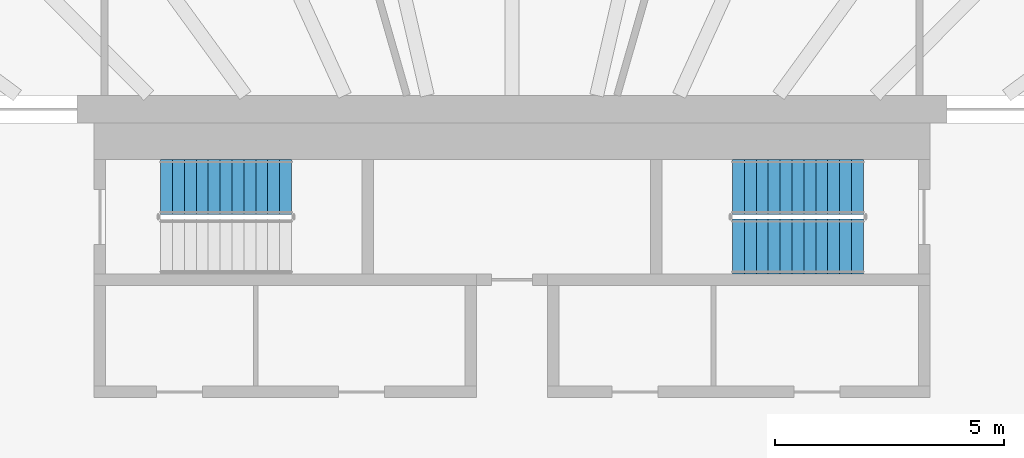
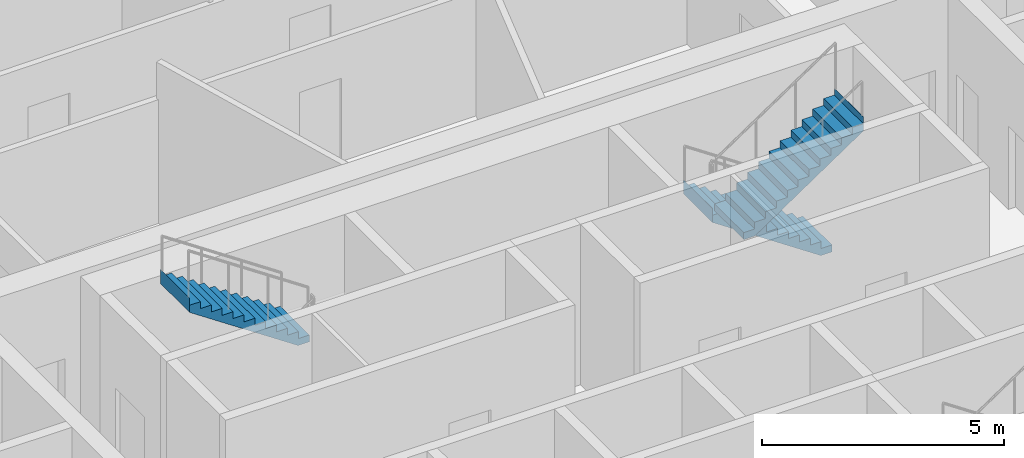
# One storey, part 19 of 25: 3 stair flights, 2 elements without a shape of their own.
"""IFC4 building model written with IfcOpenShell, lengths in metres."""

from ifc_helpers import new_model, si_unit, direction, frame, origin, place, context, subcontext, project, spatial, triangles, material, type_object, element, aggregate, save


model = new_model("IFC4")

# Units and contexts
model_context = context("Model", 3, precision=1e-05, world=origin(), true_north=direction((0.0, 1.0)))
body_context = subcontext(model_context, "Body", "Model", "MODEL_VIEW")
ifc_project = project(units=[si_unit("LENGTHUNIT", "METRE"), si_unit("AREAUNIT", "SQUARE_METRE"), si_unit("VOLUMEUNIT", "CUBIC_METRE"), si_unit("PLANEANGLEUNIT", "RADIAN"), si_unit("MASSUNIT", "GRAM", prefix="KILO")], contexts=[model_context])

# Site, building, storey
site_placement = place(None, origin())
site = spatial("IfcSite", under=ifc_project, at=site_placement, CompositionType="ELEMENT")
building_placement = place(site_placement, origin())
building = spatial("IfcBuilding", under=site, at=building_placement, Name="Sahrelin Media Tower", CompositionType="ELEMENT")
storey_placement = place(building_placement, frame((0.0, 0.0, 79.800048828125)))
storey = spatial("IfcBuildingStorey", under=building, at=storey_placement, Name="L14", CompositionType="ELEMENT", Elevation=79.800048828125)

# Stair, stair flight
ifc_material = material(Name="Concrete C40/50", Category="concrete")
stair_type = type_object("IfcStairType", Name="Exit stair 1200", PredefinedType="HALF_TURN_STAIR", material=ifc_material)
placement = place(storey_placement, origin())
stair_1 = element("IfcStair", 1, at=placement, inside=storey, type_object=stair_type, Name="L14 Exit stair ST1", PredefinedType="HALF_TURN_STAIR")
stair_flight_type = type_object("IfcStairFlightType", Name="Stair flight 1200", PredefinedType="STRAIGHT", material=ifc_material)
stair_flight_1_placement = place(storey_placement, frame((-4.81494140625, 6.0, 2.099853515625), z_axis=(0.0, 0.0, 1.0), x_axis=(-1.0, 0.0, 0.0)))
stair_flight_1 = element("IfcStairFlight", 2, at=stair_flight_1_placement, type_object=stair_flight_type, Name="ST1 flight 2", NumberOfRisers=12, NumberOfTreads=11, PredefinedType="STRAIGHT", RiserHeight=0.175, TreadLength=0.26, context=body_context, shape_type="Tessellation", body=[
    triangles([(0.2685546875, 0.60009765625, 0.0), (0.2685546875, 0.300048828125, 0.0), (0.2685546875, 0.0, 0.0), (0.2685546875, -0.300048828125, 0.0), (0.2685546875, -0.60009765625, 0.0), (2.860107421875, 0.60009765625, 1.744384765625), (2.860107421875, 0.300048828125, 1.744384765625), (2.860107421875, 0.0, 1.744384765625), (2.860107421875, -0.300048828125, 1.744384765625), (2.860107421875, -0.60009765625, 1.744384765625), (2.860107421875, 0.60009765625, 2.10009765625), (2.860107421875, 0.300048828125, 2.10009765625), (2.860107421875, 0.0, 2.10009765625), (2.860107421875, -0.300048828125, 2.10009765625), (2.860107421875, -0.60009765625, 2.10009765625), (2.85791015625, 0.60009765625, 2.10009765625), (2.85791015625, 0.300048828125, 2.10009765625), (2.85791015625, 0.0, 2.10009765625), (2.85791015625, -0.300048828125, 2.10009765625), (2.85791015625, -0.60009765625, 2.10009765625), (2.85791015625, 0.60009765625, 1.925048828125), (2.85791015625, 0.300048828125, 1.925048828125), (2.85791015625, 0.0, 1.925048828125), (2.85791015625, -0.300048828125, 1.925048828125), (2.85791015625, -0.60009765625, 1.925048828125), (2.60009765625, 0.60009765625, 1.925048828125), (2.60009765625, 0.300048828125, 1.925048828125), (2.60009765625, 0.0, 1.925048828125), (2.60009765625, -0.300048828125, 1.925048828125), (2.60009765625, -0.60009765625, 1.925048828125), (2.60009765625, 0.60009765625, 1.75), (2.60009765625, 0.300048828125, 1.75), (2.60009765625, 0.0, 1.75), (2.60009765625, -0.300048828125, 1.75), (2.60009765625, -0.60009765625, 1.75), (2.340087890625, 0.60009765625, 1.75), (2.340087890625, 0.300048828125, 1.75), (2.340087890625, 0.0, 1.75), (2.340087890625, -0.300048828125, 1.75), (2.340087890625, -0.60009765625, 1.75), (2.340087890625, 0.60009765625, 1.574951171875), (2.340087890625, 0.300048828125, 1.574951171875), (2.340087890625, 0.0, 1.574951171875), (2.340087890625, -0.300048828125, 1.574951171875), (2.340087890625, -0.60009765625, 1.574951171875), (2.080078125, 0.60009765625, 1.574951171875), (2.080078125, 0.300048828125, 1.574951171875), (2.080078125, 0.0, 1.574951171875), (2.080078125, -0.300048828125, 1.574951171875), (2.080078125, -0.60009765625, 1.574951171875), (2.080078125, 0.60009765625, 1.39990234375), (2.080078125, 0.300048828125, 1.39990234375), (2.080078125, 0.0, 1.39990234375), (2.080078125, -0.300048828125, 1.39990234375), (2.080078125, -0.60009765625, 1.39990234375), (1.820068359375, 0.60009765625, 1.39990234375), (1.820068359375, 0.300048828125, 1.39990234375), (1.820068359375, 0.0, 1.39990234375), (1.820068359375, -0.300048828125, 1.39990234375), (1.820068359375, -0.60009765625, 1.39990234375), (1.820068359375, 0.60009765625, 1.22509765625), (1.820068359375, 0.300048828125, 1.22509765625), (1.820068359375, 0.0, 1.22509765625), (1.820068359375, -0.300048828125, 1.22509765625), (1.820068359375, -0.60009765625, 1.22509765625), (1.56005859375, 0.60009765625, 1.22509765625), (1.56005859375, 0.300048828125, 1.22509765625), (1.56005859375, 0.0, 1.22509765625), (1.56005859375, -0.300048828125, 1.22509765625), (1.56005859375, -0.60009765625, 1.22509765625), (1.56005859375, 0.60009765625, 1.050048828125), (1.56005859375, 0.300048828125, 1.050048828125), (1.56005859375, 0.0, 1.050048828125), (1.56005859375, -0.300048828125, 1.050048828125), (1.56005859375, -0.60009765625, 1.050048828125), (1.300048828125, 0.60009765625, 1.050048828125), (1.300048828125, 0.300048828125, 1.050048828125), (1.300048828125, 0.0, 1.050048828125), (1.300048828125, -0.300048828125, 1.050048828125), (1.300048828125, -0.60009765625, 1.050048828125), (1.300048828125, 0.60009765625, 0.875), (1.300048828125, 0.300048828125, 0.875), (1.300048828125, 0.0, 0.875), (1.300048828125, -0.300048828125, 0.875), (1.300048828125, -0.60009765625, 0.875), (1.0400390625, 0.60009765625, 0.875), (1.0400390625, 0.300048828125, 0.875), (1.0400390625, 0.0, 0.875), (1.0400390625, -0.300048828125, 0.875), (1.0400390625, -0.60009765625, 0.875), (1.0400390625, 0.60009765625, 0.699951171875), (1.0400390625, 0.300048828125, 0.699951171875), (1.0400390625, 0.0, 0.699951171875), (1.0400390625, -0.300048828125, 0.699951171875), (1.0400390625, -0.60009765625, 0.699951171875), (0.780029296875, 0.60009765625, 0.699951171875), (0.780029296875, 0.300048828125, 0.699951171875), (0.780029296875, 0.0, 0.699951171875), (0.780029296875, -0.300048828125, 0.699951171875), (0.780029296875, -0.60009765625, 0.699951171875), (0.780029296875, 0.60009765625, 0.52490234375), (0.780029296875, 0.300048828125, 0.52490234375), (0.780029296875, 0.0, 0.52490234375), (0.780029296875, -0.300048828125, 0.52490234375), (0.780029296875, -0.60009765625, 0.52490234375), (0.52001953125, 0.60009765625, 0.52490234375), (0.52001953125, 0.300048828125, 0.52490234375), (0.52001953125, 0.0, 0.52490234375), (0.52001953125, -0.300048828125, 0.52490234375), (0.52001953125, -0.60009765625, 0.52490234375), (0.52001953125, 0.60009765625, 0.35009765625), (0.52001953125, 0.300048828125, 0.35009765625), (0.52001953125, 0.0, 0.35009765625), (0.52001953125, -0.300048828125, 0.35009765625), (0.52001953125, -0.60009765625, 0.35009765625), (0.260009765625, 0.60009765625, 0.35009765625), (0.260009765625, 0.300048828125, 0.35009765625), (0.260009765625, 0.0, 0.35009765625), (0.260009765625, -0.300048828125, 0.35009765625), (0.260009765625, -0.60009765625, 0.35009765625), (0.260009765625, 0.60009765625, 0.175048828125), (0.260009765625, 0.300048828125, 0.175048828125), (0.260009765625, 0.0, 0.175048828125), (0.260009765625, -0.300048828125, 0.175048828125), (0.260009765625, -0.60009765625, 0.175048828125), (0.0, 0.60009765625, 0.175048828125), (0.0, 0.300048828125, 0.175048828125), (0.0, 0.0, 0.175048828125), (0.0, -0.300048828125, 0.175048828125), (0.0, -0.60009765625, 0.175048828125), (0.0, 0.60009765625, 0.0), (0.0, 0.300048828125, 0.0), (0.0, 0.0, 0.0), (0.0, -0.300048828125, 0.0), (0.0, -0.60009765625, 0.0)], [[1, 6, 7], [1, 7, 2], [2, 7, 8], [2, 8, 3], [3, 8, 9], [3, 9, 4], [4, 9, 10], [4, 10, 5], [6, 11, 12], [6, 12, 7], [7, 12, 13], [7, 13, 8], [8, 13, 14], [8, 14, 9], [9, 14, 15], [9, 15, 10], [11, 16, 17], [11, 17, 12], [12, 17, 18], [12, 18, 13], [13, 18, 19], [13, 19, 14], [14, 19, 20], [14, 20, 15], [16, 21, 22], [16, 22, 17], [17, 22, 23], [17, 23, 18], [18, 23, 24], [18, 24, 19], [19, 24, 25], [19, 25, 20], [21, 26, 27], [21, 27, 22], [22, 27, 28], [22, 28, 23], [23, 28, 29], [23, 29, 24], [24, 29, 30], [24, 30, 25], [26, 31, 32], [26, 32, 27], [27, 32, 33], [27, 33, 28], [28, 33, 34], [28, 34, 29], [29, 34, 35], [29, 35, 30], [31, 36, 37], [31, 37, 32], [32, 37, 38], [32, 38, 33], [33, 38, 39], [33, 39, 34], [34, 39, 40], [34, 40, 35], [36, 41, 42], [36, 42, 37], [37, 42, 43], [37, 43, 38], [38, 43, 44], [38, 44, 39], [39, 44, 45], [39, 45, 40], [41, 46, 47], [41, 47, 42], [42, 47, 48], [42, 48, 43], [43, 48, 49], [43, 49, 44], [44, 49, 50], [44, 50, 45], [46, 51, 52], [46, 52, 47], [47, 52, 53], [47, 53, 48], [48, 53, 54], [48, 54, 49], [49, 54, 55], [49, 55, 50], [51, 56, 57], [51, 57, 52], [52, 57, 58], [52, 58, 53], [53, 58, 59], [53, 59, 54], [54, 59, 60], [54, 60, 55], [56, 61, 62], [56, 62, 57], [57, 62, 63], [57, 63, 58], [58, 63, 64], [58, 64, 59], [59, 64, 65], [59, 65, 60], [61, 66, 67], [61, 67, 62], [62, 67, 68], [62, 68, 63], [63, 68, 69], [63, 69, 64], [64, 69, 70], [64, 70, 65], [66, 71, 72], [66, 72, 67], [67, 72, 73], [67, 73, 68], [68, 73, 74], [68, 74, 69], [69, 74, 75], [69, 75, 70], [71, 76, 77], [71, 77, 72], [72, 77, 78], [72, 78, 73], [73, 78, 79], [73, 79, 74], [74, 79, 80], [74, 80, 75], [76, 81, 82], [76, 82, 77], [77, 82, 83], [77, 83, 78], [78, 83, 84], [78, 84, 79], [79, 84, 85], [79, 85, 80], [81, 86, 87], [81, 87, 82], [82, 87, 88], [82, 88, 83], [83, 88, 89], [83, 89, 84], [84, 89, 90], [84, 90, 85], [86, 91, 92], [86, 92, 87], [87, 92, 93], [87, 93, 88], [88, 93, 94], [88, 94, 89], [89, 94, 95], [89, 95, 90], [91, 96, 97], [91, 97, 92], [92, 97, 98], [92, 98, 93], [93, 98, 99], [93, 99, 94], [94, 99, 100], [94, 100, 95], [96, 101, 102], [96, 102, 97], [97, 102, 103], [97, 103, 98], [98, 103, 104], [98, 104, 99], [99, 104, 105], [99, 105, 100], [101, 106, 107], [101, 107, 102], [102, 107, 108], [102, 108, 103], [103, 108, 109], [103, 109, 104], [104, 109, 110], [104, 110, 105], [106, 111, 112], [106, 112, 107], [107, 112, 113], [107, 113, 108], [108, 113, 114], [108, 114, 109], [109, 114, 115], [109, 115, 110], [111, 116, 117], [111, 117, 112], [112, 117, 118], [112, 118, 113], [113, 118, 119], [113, 119, 114], [114, 119, 120], [114, 120, 115], [116, 121, 122], [116, 122, 117], [117, 122, 123], [117, 123, 118], [118, 123, 124], [118, 124, 119], [119, 124, 125], [119, 125, 120], [121, 126, 127], [121, 127, 122], [122, 127, 128], [122, 128, 123], [123, 128, 129], [123, 129, 124], [124, 129, 130], [124, 130, 125], [126, 131, 132], [126, 132, 127], [127, 132, 133], [127, 133, 128], [128, 133, 134], [128, 134, 129], [129, 134, 135], [129, 135, 130], [131, 1, 2], [131, 2, 132], [132, 2, 3], [132, 3, 133], [133, 3, 4], [133, 4, 134], [134, 4, 5], [134, 5, 135], [125, 130, 135], [121, 131, 126], [125, 115, 120], [121, 116, 111], [115, 105, 110], [111, 106, 101], [105, 95, 100], [101, 96, 91], [95, 85, 90], [91, 86, 81], [85, 75, 80], [81, 76, 71], [75, 65, 70], [71, 66, 61], [65, 55, 60], [61, 56, 51], [55, 45, 50], [51, 46, 41], [45, 35, 40], [41, 36, 31], [35, 25, 30], [31, 26, 21], [25, 15, 20], [21, 16, 11], [135, 5, 125], [131, 121, 1], [95, 105, 5], [91, 1, 101], [5, 10, 75], [1, 71, 6], [10, 35, 45], [6, 41, 31], [25, 10, 15], [21, 11, 6], [115, 125, 5], [111, 1, 121], [75, 85, 5], [71, 1, 81], [35, 10, 25], [31, 21, 6], [105, 115, 5], [101, 1, 111], [45, 55, 10], [41, 6, 51], [85, 95, 5], [81, 1, 91], [65, 10, 55], [61, 51, 6], [10, 65, 75], [6, 71, 61]], closed=True),
])
aggregate(stair_1, [stair_flight_1])

# Stair, stair flights
stair_2 = element("IfcStair", 3, at=placement, inside=storey, type_object=stair_type, Name="L14 Exit stair ST3", PredefinedType="HALF_TURN_STAIR")
stair_flight_2_placement = place(storey_placement, frame((7.675048828125, 6.0, 0.0), z_axis=(0.0, 0.0, 1.0), x_axis=(-1.0, 0.0, 0.0)))
stair_flight_2 = element("IfcStairFlight", 4, at=stair_flight_2_placement, type_object=stair_flight_type, Name="ST3 flight 1", NumberOfRisers=12, NumberOfTreads=11, PredefinedType="STRAIGHT", RiserHeight=0.175, TreadLength=0.26, context=body_context, shape_type="Tessellation", body=[
    triangles([(0.2685546875, 0.60009765625, 0.0), (0.2685546875, 0.300048828125, 0.0), (0.2685546875, 0.0, 0.0), (0.2685546875, -0.300048828125, 0.0), (0.2685546875, -0.60009765625, 0.0), (2.860107421875, 0.60009765625, 1.744384765625), (2.860107421875, 0.300048828125, 1.744384765625), (2.860107421875, 0.0, 1.744384765625), (2.860107421875, -0.300048828125, 1.744384765625), (2.860107421875, -0.60009765625, 1.744384765625), (2.860107421875, 0.60009765625, 2.10009765625), (2.860107421875, 0.300048828125, 2.10009765625), (2.860107421875, 0.0, 2.10009765625), (2.860107421875, -0.300048828125, 2.10009765625), (2.860107421875, -0.60009765625, 2.10009765625), (2.85791015625, 0.60009765625, 2.10009765625), (2.85791015625, 0.300048828125, 2.10009765625), (2.85791015625, 0.0, 2.10009765625), (2.85791015625, -0.300048828125, 2.10009765625), (2.85791015625, -0.60009765625, 2.10009765625), (2.85791015625, 0.60009765625, 1.925048828125), (2.85791015625, 0.300048828125, 1.925048828125), (2.85791015625, 0.0, 1.925048828125), (2.85791015625, -0.300048828125, 1.925048828125), (2.85791015625, -0.60009765625, 1.925048828125), (2.60009765625, 0.60009765625, 1.925048828125), (2.60009765625, 0.300048828125, 1.925048828125), (2.60009765625, 0.0, 1.925048828125), (2.60009765625, -0.300048828125, 1.925048828125), (2.60009765625, -0.60009765625, 1.925048828125), (2.60009765625, 0.60009765625, 1.75), (2.60009765625, 0.300048828125, 1.75), (2.60009765625, 0.0, 1.75), (2.60009765625, -0.300048828125, 1.75), (2.60009765625, -0.60009765625, 1.75), (2.340087890625, 0.60009765625, 1.75), (2.340087890625, 0.300048828125, 1.75), (2.340087890625, 0.0, 1.75), (2.340087890625, -0.300048828125, 1.75), (2.340087890625, -0.60009765625, 1.75), (2.340087890625, 0.60009765625, 1.574951171875), (2.340087890625, 0.300048828125, 1.574951171875), (2.340087890625, 0.0, 1.574951171875), (2.340087890625, -0.300048828125, 1.574951171875), (2.340087890625, -0.60009765625, 1.574951171875), (2.080078125, 0.60009765625, 1.574951171875), (2.080078125, 0.300048828125, 1.574951171875), (2.080078125, 0.0, 1.574951171875), (2.080078125, -0.300048828125, 1.574951171875), (2.080078125, -0.60009765625, 1.574951171875), (2.080078125, 0.60009765625, 1.39990234375), (2.080078125, 0.300048828125, 1.39990234375), (2.080078125, 0.0, 1.39990234375), (2.080078125, -0.300048828125, 1.39990234375), (2.080078125, -0.60009765625, 1.39990234375), (1.820068359375, 0.60009765625, 1.39990234375), (1.820068359375, 0.300048828125, 1.39990234375), (1.820068359375, 0.0, 1.39990234375), (1.820068359375, -0.300048828125, 1.39990234375), (1.820068359375, -0.60009765625, 1.39990234375), (1.820068359375, 0.60009765625, 1.22509765625), (1.820068359375, 0.300048828125, 1.22509765625), (1.820068359375, 0.0, 1.22509765625), (1.820068359375, -0.300048828125, 1.22509765625), (1.820068359375, -0.60009765625, 1.22509765625), (1.56005859375, 0.60009765625, 1.22509765625), (1.56005859375, 0.300048828125, 1.22509765625), (1.56005859375, 0.0, 1.22509765625), (1.56005859375, -0.300048828125, 1.22509765625), (1.56005859375, -0.60009765625, 1.22509765625), (1.56005859375, 0.60009765625, 1.050048828125), (1.56005859375, 0.300048828125, 1.050048828125), (1.56005859375, 0.0, 1.050048828125), (1.56005859375, -0.300048828125, 1.050048828125), (1.56005859375, -0.60009765625, 1.050048828125), (1.300048828125, 0.60009765625, 1.050048828125), (1.300048828125, 0.300048828125, 1.050048828125), (1.300048828125, 0.0, 1.050048828125), (1.300048828125, -0.300048828125, 1.050048828125), (1.300048828125, -0.60009765625, 1.050048828125), (1.300048828125, 0.60009765625, 0.875), (1.300048828125, 0.300048828125, 0.875), (1.300048828125, 0.0, 0.875), (1.300048828125, -0.300048828125, 0.875), (1.300048828125, -0.60009765625, 0.875), (1.0400390625, 0.60009765625, 0.875), (1.0400390625, 0.300048828125, 0.875), (1.0400390625, 0.0, 0.875), (1.0400390625, -0.300048828125, 0.875), (1.0400390625, -0.60009765625, 0.875), (1.0400390625, 0.60009765625, 0.699951171875), (1.0400390625, 0.300048828125, 0.699951171875), (1.0400390625, 0.0, 0.699951171875), (1.0400390625, -0.300048828125, 0.699951171875), (1.0400390625, -0.60009765625, 0.699951171875), (0.780029296875, 0.60009765625, 0.699951171875), (0.780029296875, 0.300048828125, 0.699951171875), (0.780029296875, 0.0, 0.699951171875), (0.780029296875, -0.300048828125, 0.699951171875), (0.780029296875, -0.60009765625, 0.699951171875), (0.780029296875, 0.60009765625, 0.52490234375), (0.780029296875, 0.300048828125, 0.52490234375), (0.780029296875, 0.0, 0.52490234375), (0.780029296875, -0.300048828125, 0.52490234375), (0.780029296875, -0.60009765625, 0.52490234375), (0.52001953125, 0.60009765625, 0.52490234375), (0.52001953125, 0.300048828125, 0.52490234375), (0.52001953125, 0.0, 0.52490234375), (0.52001953125, -0.300048828125, 0.52490234375), (0.52001953125, -0.60009765625, 0.52490234375), (0.52001953125, 0.60009765625, 0.35009765625), (0.52001953125, 0.300048828125, 0.35009765625), (0.52001953125, 0.0, 0.35009765625), (0.52001953125, -0.300048828125, 0.35009765625), (0.52001953125, -0.60009765625, 0.35009765625), (0.260009765625, 0.60009765625, 0.35009765625), (0.260009765625, 0.300048828125, 0.35009765625), (0.260009765625, 0.0, 0.35009765625), (0.260009765625, -0.300048828125, 0.35009765625), (0.260009765625, -0.60009765625, 0.35009765625), (0.260009765625, 0.60009765625, 0.175048828125), (0.260009765625, 0.300048828125, 0.175048828125), (0.260009765625, 0.0, 0.175048828125), (0.260009765625, -0.300048828125, 0.175048828125), (0.260009765625, -0.60009765625, 0.175048828125), (0.0, 0.60009765625, 0.175048828125), (0.0, 0.300048828125, 0.175048828125), (0.0, 0.0, 0.175048828125), (0.0, -0.300048828125, 0.175048828125), (0.0, -0.60009765625, 0.175048828125), (0.0, 0.60009765625, 0.0), (0.0, 0.300048828125, 0.0), (0.0, 0.0, 0.0), (0.0, -0.300048828125, 0.0), (0.0, -0.60009765625, 0.0)], [[1, 6, 7], [1, 7, 2], [2, 7, 8], [2, 8, 3], [3, 8, 9], [3, 9, 4], [4, 9, 10], [4, 10, 5], [6, 11, 12], [6, 12, 7], [7, 12, 13], [7, 13, 8], [8, 13, 14], [8, 14, 9], [9, 14, 15], [9, 15, 10], [11, 16, 17], [11, 17, 12], [12, 17, 18], [12, 18, 13], [13, 18, 19], [13, 19, 14], [14, 19, 20], [14, 20, 15], [16, 21, 22], [16, 22, 17], [17, 22, 23], [17, 23, 18], [18, 23, 24], [18, 24, 19], [19, 24, 25], [19, 25, 20], [21, 26, 27], [21, 27, 22], [22, 27, 28], [22, 28, 23], [23, 28, 29], [23, 29, 24], [24, 29, 30], [24, 30, 25], [26, 31, 32], [26, 32, 27], [27, 32, 33], [27, 33, 28], [28, 33, 34], [28, 34, 29], [29, 34, 35], [29, 35, 30], [31, 36, 37], [31, 37, 32], [32, 37, 38], [32, 38, 33], [33, 38, 39], [33, 39, 34], [34, 39, 40], [34, 40, 35], [36, 41, 42], [36, 42, 37], [37, 42, 43], [37, 43, 38], [38, 43, 44], [38, 44, 39], [39, 44, 45], [39, 45, 40], [41, 46, 47], [41, 47, 42], [42, 47, 48], [42, 48, 43], [43, 48, 49], [43, 49, 44], [44, 49, 50], [44, 50, 45], [46, 51, 52], [46, 52, 47], [47, 52, 53], [47, 53, 48], [48, 53, 54], [48, 54, 49], [49, 54, 55], [49, 55, 50], [51, 56, 57], [51, 57, 52], [52, 57, 58], [52, 58, 53], [53, 58, 59], [53, 59, 54], [54, 59, 60], [54, 60, 55], [56, 61, 62], [56, 62, 57], [57, 62, 63], [57, 63, 58], [58, 63, 64], [58, 64, 59], [59, 64, 65], [59, 65, 60], [61, 66, 67], [61, 67, 62], [62, 67, 68], [62, 68, 63], [63, 68, 69], [63, 69, 64], [64, 69, 70], [64, 70, 65], [66, 71, 72], [66, 72, 67], [67, 72, 73], [67, 73, 68], [68, 73, 74], [68, 74, 69], [69, 74, 75], [69, 75, 70], [71, 76, 77], [71, 77, 72], [72, 77, 78], [72, 78, 73], [73, 78, 79], [73, 79, 74], [74, 79, 80], [74, 80, 75], [76, 81, 82], [76, 82, 77], [77, 82, 83], [77, 83, 78], [78, 83, 84], [78, 84, 79], [79, 84, 85], [79, 85, 80], [81, 86, 87], [81, 87, 82], [82, 87, 88], [82, 88, 83], [83, 88, 89], [83, 89, 84], [84, 89, 90], [84, 90, 85], [86, 91, 92], [86, 92, 87], [87, 92, 93], [87, 93, 88], [88, 93, 94], [88, 94, 89], [89, 94, 95], [89, 95, 90], [91, 96, 97], [91, 97, 92], [92, 97, 98], [92, 98, 93], [93, 98, 99], [93, 99, 94], [94, 99, 100], [94, 100, 95], [96, 101, 102], [96, 102, 97], [97, 102, 103], [97, 103, 98], [98, 103, 104], [98, 104, 99], [99, 104, 105], [99, 105, 100], [101, 106, 107], [101, 107, 102], [102, 107, 108], [102, 108, 103], [103, 108, 109], [103, 109, 104], [104, 109, 110], [104, 110, 105], [106, 111, 112], [106, 112, 107], [107, 112, 113], [107, 113, 108], [108, 113, 114], [108, 114, 109], [109, 114, 115], [109, 115, 110], [111, 116, 117], [111, 117, 112], [112, 117, 118], [112, 118, 113], [113, 118, 119], [113, 119, 114], [114, 119, 120], [114, 120, 115], [116, 121, 122], [116, 122, 117], [117, 122, 123], [117, 123, 118], [118, 123, 124], [118, 124, 119], [119, 124, 125], [119, 125, 120], [121, 126, 127], [121, 127, 122], [122, 127, 128], [122, 128, 123], [123, 128, 129], [123, 129, 124], [124, 129, 130], [124, 130, 125], [126, 131, 132], [126, 132, 127], [127, 132, 133], [127, 133, 128], [128, 133, 134], [128, 134, 129], [129, 134, 135], [129, 135, 130], [131, 1, 2], [131, 2, 132], [132, 2, 3], [132, 3, 133], [133, 3, 4], [133, 4, 134], [134, 4, 5], [134, 5, 135], [125, 130, 135], [121, 131, 126], [125, 115, 120], [121, 116, 111], [115, 105, 110], [111, 106, 101], [105, 95, 100], [101, 96, 91], [95, 85, 90], [91, 86, 81], [85, 75, 80], [81, 76, 71], [75, 65, 70], [71, 66, 61], [65, 55, 60], [61, 56, 51], [55, 45, 50], [51, 46, 41], [45, 35, 40], [41, 36, 31], [35, 25, 30], [31, 26, 21], [25, 15, 20], [21, 16, 11], [135, 5, 125], [131, 121, 1], [95, 105, 5], [91, 1, 101], [5, 10, 75], [1, 71, 6], [10, 35, 45], [6, 41, 31], [25, 10, 15], [21, 11, 6], [115, 125, 5], [111, 1, 121], [75, 85, 5], [71, 1, 81], [35, 10, 25], [31, 21, 6], [105, 115, 5], [101, 1, 111], [45, 55, 10], [41, 6, 51], [85, 95, 5], [81, 1, 91], [65, 10, 55], [61, 51, 6], [10, 65, 75], [6, 71, 61]], closed=True),
])
stair_flight_3_placement = place(storey_placement, frame((4.81494140625, 4.699951171875, 2.099853515625), z_axis=(0.0, 0.0, 1.0), x_axis=(1.0, 0.0, 0.0)))
stair_flight_3 = element("IfcStairFlight", 5, at=stair_flight_3_placement, type_object=stair_flight_type, Name="ST3 flight 2", NumberOfRisers=12, NumberOfTreads=11, PredefinedType="STRAIGHT", RiserHeight=0.175, TreadLength=0.26, context=body_context, shape_type="Tessellation", body=[
    triangles([(0.2685546875, 0.60009765625, 0.0), (0.2685546875, 0.300048828125, 0.0), (0.2685546875, 0.0, 0.0), (0.2685546875, -0.300048828125, 0.0), (0.2685546875, -0.60009765625, 0.0), (2.860107421875, 0.60009765625, 1.744384765625), (2.860107421875, 0.300048828125, 1.744384765625), (2.860107421875, 0.0, 1.744384765625), (2.860107421875, -0.300048828125, 1.744384765625), (2.860107421875, -0.60009765625, 1.744384765625), (2.860107421875, 0.60009765625, 2.10009765625), (2.860107421875, 0.300048828125, 2.10009765625), (2.860107421875, 0.0, 2.10009765625), (2.860107421875, -0.300048828125, 2.10009765625), (2.860107421875, -0.60009765625, 2.10009765625), (2.85791015625, 0.60009765625, 2.10009765625), (2.85791015625, 0.300048828125, 2.10009765625), (2.85791015625, 0.0, 2.10009765625), (2.85791015625, -0.300048828125, 2.10009765625), (2.85791015625, -0.60009765625, 2.10009765625), (2.85791015625, 0.60009765625, 1.925048828125), (2.85791015625, 0.300048828125, 1.925048828125), (2.85791015625, 0.0, 1.925048828125), (2.85791015625, -0.300048828125, 1.925048828125), (2.85791015625, -0.60009765625, 1.925048828125), (2.60009765625, 0.60009765625, 1.925048828125), (2.60009765625, 0.300048828125, 1.925048828125), (2.60009765625, 0.0, 1.925048828125), (2.60009765625, -0.300048828125, 1.925048828125), (2.60009765625, -0.60009765625, 1.925048828125), (2.60009765625, 0.60009765625, 1.75), (2.60009765625, 0.300048828125, 1.75), (2.60009765625, 0.0, 1.75), (2.60009765625, -0.300048828125, 1.75), (2.60009765625, -0.60009765625, 1.75), (2.340087890625, 0.60009765625, 1.75), (2.340087890625, 0.300048828125, 1.75), (2.340087890625, 0.0, 1.75), (2.340087890625, -0.300048828125, 1.75), (2.340087890625, -0.60009765625, 1.75), (2.340087890625, 0.60009765625, 1.574951171875), (2.340087890625, 0.300048828125, 1.574951171875), (2.340087890625, 0.0, 1.574951171875), (2.340087890625, -0.300048828125, 1.574951171875), (2.340087890625, -0.60009765625, 1.574951171875), (2.080078125, 0.60009765625, 1.574951171875), (2.080078125, 0.300048828125, 1.574951171875), (2.080078125, 0.0, 1.574951171875), (2.080078125, -0.300048828125, 1.574951171875), (2.080078125, -0.60009765625, 1.574951171875), (2.080078125, 0.60009765625, 1.39990234375), (2.080078125, 0.300048828125, 1.39990234375), (2.080078125, 0.0, 1.39990234375), (2.080078125, -0.300048828125, 1.39990234375), (2.080078125, -0.60009765625, 1.39990234375), (1.820068359375, 0.60009765625, 1.39990234375), (1.820068359375, 0.300048828125, 1.39990234375), (1.820068359375, 0.0, 1.39990234375), (1.820068359375, -0.300048828125, 1.39990234375), (1.820068359375, -0.60009765625, 1.39990234375), (1.820068359375, 0.60009765625, 1.22509765625), (1.820068359375, 0.300048828125, 1.22509765625), (1.820068359375, 0.0, 1.22509765625), (1.820068359375, -0.300048828125, 1.22509765625), (1.820068359375, -0.60009765625, 1.22509765625), (1.56005859375, 0.60009765625, 1.22509765625), (1.56005859375, 0.300048828125, 1.22509765625), (1.56005859375, 0.0, 1.22509765625), (1.56005859375, -0.300048828125, 1.22509765625), (1.56005859375, -0.60009765625, 1.22509765625), (1.56005859375, 0.60009765625, 1.050048828125), (1.56005859375, 0.300048828125, 1.050048828125), (1.56005859375, 0.0, 1.050048828125), (1.56005859375, -0.300048828125, 1.050048828125), (1.56005859375, -0.60009765625, 1.050048828125), (1.300048828125, 0.60009765625, 1.050048828125), (1.300048828125, 0.300048828125, 1.050048828125), (1.300048828125, 0.0, 1.050048828125), (1.300048828125, -0.300048828125, 1.050048828125), (1.300048828125, -0.60009765625, 1.050048828125), (1.300048828125, 0.60009765625, 0.875), (1.300048828125, 0.300048828125, 0.875), (1.300048828125, 0.0, 0.875), (1.300048828125, -0.300048828125, 0.875), (1.300048828125, -0.60009765625, 0.875), (1.0400390625, 0.60009765625, 0.875), (1.0400390625, 0.300048828125, 0.875), (1.0400390625, 0.0, 0.875), (1.0400390625, -0.300048828125, 0.875), (1.0400390625, -0.60009765625, 0.875), (1.0400390625, 0.60009765625, 0.699951171875), (1.0400390625, 0.300048828125, 0.699951171875), (1.0400390625, 0.0, 0.699951171875), (1.0400390625, -0.300048828125, 0.699951171875), (1.0400390625, -0.60009765625, 0.699951171875), (0.780029296875, 0.60009765625, 0.699951171875), (0.780029296875, 0.300048828125, 0.699951171875), (0.780029296875, 0.0, 0.699951171875), (0.780029296875, -0.300048828125, 0.699951171875), (0.780029296875, -0.60009765625, 0.699951171875), (0.780029296875, 0.60009765625, 0.52490234375), (0.780029296875, 0.300048828125, 0.52490234375), (0.780029296875, 0.0, 0.52490234375), (0.780029296875, -0.300048828125, 0.52490234375), (0.780029296875, -0.60009765625, 0.52490234375), (0.52001953125, 0.60009765625, 0.52490234375), (0.52001953125, 0.300048828125, 0.52490234375), (0.52001953125, 0.0, 0.52490234375), (0.52001953125, -0.300048828125, 0.52490234375), (0.52001953125, -0.60009765625, 0.52490234375), (0.52001953125, 0.60009765625, 0.35009765625), (0.52001953125, 0.300048828125, 0.35009765625), (0.52001953125, 0.0, 0.35009765625), (0.52001953125, -0.300048828125, 0.35009765625), (0.52001953125, -0.60009765625, 0.35009765625), (0.260009765625, 0.60009765625, 0.35009765625), (0.260009765625, 0.300048828125, 0.35009765625), (0.260009765625, 0.0, 0.35009765625), (0.260009765625, -0.300048828125, 0.35009765625), (0.260009765625, -0.60009765625, 0.35009765625), (0.260009765625, 0.60009765625, 0.175048828125), (0.260009765625, 0.300048828125, 0.175048828125), (0.260009765625, 0.0, 0.175048828125), (0.260009765625, -0.300048828125, 0.175048828125), (0.260009765625, -0.60009765625, 0.175048828125), (0.0, 0.60009765625, 0.175048828125), (0.0, 0.300048828125, 0.175048828125), (0.0, 0.0, 0.175048828125), (0.0, -0.300048828125, 0.175048828125), (0.0, -0.60009765625, 0.175048828125), (0.0, 0.60009765625, 0.0), (0.0, 0.300048828125, 0.0), (0.0, 0.0, 0.0), (0.0, -0.300048828125, 0.0), (0.0, -0.60009765625, 0.0)], [[1, 6, 7], [1, 7, 2], [2, 7, 8], [2, 8, 3], [3, 8, 9], [3, 9, 4], [4, 9, 10], [4, 10, 5], [6, 11, 12], [6, 12, 7], [7, 12, 13], [7, 13, 8], [8, 13, 14], [8, 14, 9], [9, 14, 15], [9, 15, 10], [11, 16, 17], [11, 17, 12], [12, 17, 18], [12, 18, 13], [13, 18, 19], [13, 19, 14], [14, 19, 20], [14, 20, 15], [16, 21, 22], [16, 22, 17], [17, 22, 23], [17, 23, 18], [18, 23, 24], [18, 24, 19], [19, 24, 25], [19, 25, 20], [21, 26, 27], [21, 27, 22], [22, 27, 28], [22, 28, 23], [23, 28, 29], [23, 29, 24], [24, 29, 30], [24, 30, 25], [26, 31, 32], [26, 32, 27], [27, 32, 33], [27, 33, 28], [28, 33, 34], [28, 34, 29], [29, 34, 35], [29, 35, 30], [31, 36, 37], [31, 37, 32], [32, 37, 38], [32, 38, 33], [33, 38, 39], [33, 39, 34], [34, 39, 40], [34, 40, 35], [36, 41, 42], [36, 42, 37], [37, 42, 43], [37, 43, 38], [38, 43, 44], [38, 44, 39], [39, 44, 45], [39, 45, 40], [41, 46, 47], [41, 47, 42], [42, 47, 48], [42, 48, 43], [43, 48, 49], [43, 49, 44], [44, 49, 50], [44, 50, 45], [46, 51, 52], [46, 52, 47], [47, 52, 53], [47, 53, 48], [48, 53, 54], [48, 54, 49], [49, 54, 55], [49, 55, 50], [51, 56, 57], [51, 57, 52], [52, 57, 58], [52, 58, 53], [53, 58, 59], [53, 59, 54], [54, 59, 60], [54, 60, 55], [56, 61, 62], [56, 62, 57], [57, 62, 63], [57, 63, 58], [58, 63, 64], [58, 64, 59], [59, 64, 65], [59, 65, 60], [61, 66, 67], [61, 67, 62], [62, 67, 68], [62, 68, 63], [63, 68, 69], [63, 69, 64], [64, 69, 70], [64, 70, 65], [66, 71, 72], [66, 72, 67], [67, 72, 73], [67, 73, 68], [68, 73, 74], [68, 74, 69], [69, 74, 75], [69, 75, 70], [71, 76, 77], [71, 77, 72], [72, 77, 78], [72, 78, 73], [73, 78, 79], [73, 79, 74], [74, 79, 80], [74, 80, 75], [76, 81, 82], [76, 82, 77], [77, 82, 83], [77, 83, 78], [78, 83, 84], [78, 84, 79], [79, 84, 85], [79, 85, 80], [81, 86, 87], [81, 87, 82], [82, 87, 88], [82, 88, 83], [83, 88, 89], [83, 89, 84], [84, 89, 90], [84, 90, 85], [86, 91, 92], [86, 92, 87], [87, 92, 93], [87, 93, 88], [88, 93, 94], [88, 94, 89], [89, 94, 95], [89, 95, 90], [91, 96, 97], [91, 97, 92], [92, 97, 98], [92, 98, 93], [93, 98, 99], [93, 99, 94], [94, 99, 100], [94, 100, 95], [96, 101, 102], [96, 102, 97], [97, 102, 103], [97, 103, 98], [98, 103, 104], [98, 104, 99], [99, 104, 105], [99, 105, 100], [101, 106, 107], [101, 107, 102], [102, 107, 108], [102, 108, 103], [103, 108, 109], [103, 109, 104], [104, 109, 110], [104, 110, 105], [106, 111, 112], [106, 112, 107], [107, 112, 113], [107, 113, 108], [108, 113, 114], [108, 114, 109], [109, 114, 115], [109, 115, 110], [111, 116, 117], [111, 117, 112], [112, 117, 118], [112, 118, 113], [113, 118, 119], [113, 119, 114], [114, 119, 120], [114, 120, 115], [116, 121, 122], [116, 122, 117], [117, 122, 123], [117, 123, 118], [118, 123, 124], [118, 124, 119], [119, 124, 125], [119, 125, 120], [121, 126, 127], [121, 127, 122], [122, 127, 128], [122, 128, 123], [123, 128, 129], [123, 129, 124], [124, 129, 130], [124, 130, 125], [126, 131, 132], [126, 132, 127], [127, 132, 133], [127, 133, 128], [128, 133, 134], [128, 134, 129], [129, 134, 135], [129, 135, 130], [131, 1, 2], [131, 2, 132], [132, 2, 3], [132, 3, 133], [133, 3, 4], [133, 4, 134], [134, 4, 5], [134, 5, 135], [125, 130, 135], [121, 131, 126], [125, 115, 120], [121, 116, 111], [115, 105, 110], [111, 106, 101], [105, 95, 100], [101, 96, 91], [95, 85, 90], [91, 86, 81], [85, 75, 80], [81, 76, 71], [75, 65, 70], [71, 66, 61], [65, 55, 60], [61, 56, 51], [55, 45, 50], [51, 46, 41], [45, 35, 40], [41, 36, 31], [35, 25, 30], [31, 26, 21], [25, 15, 20], [21, 16, 11], [135, 5, 125], [131, 121, 1], [95, 105, 5], [91, 1, 101], [5, 10, 75], [1, 71, 6], [10, 35, 45], [6, 41, 31], [25, 10, 15], [21, 11, 6], [115, 125, 5], [111, 1, 121], [75, 85, 5], [71, 1, 81], [35, 10, 25], [31, 21, 6], [105, 115, 5], [101, 1, 111], [45, 55, 10], [41, 6, 51], [85, 95, 5], [81, 1, 91], [65, 10, 55], [61, 51, 6], [10, 65, 75], [6, 71, 61]], closed=True),
])
aggregate(stair_2, [stair_flight_2, stair_flight_3])

save(model, "model.ifc")
